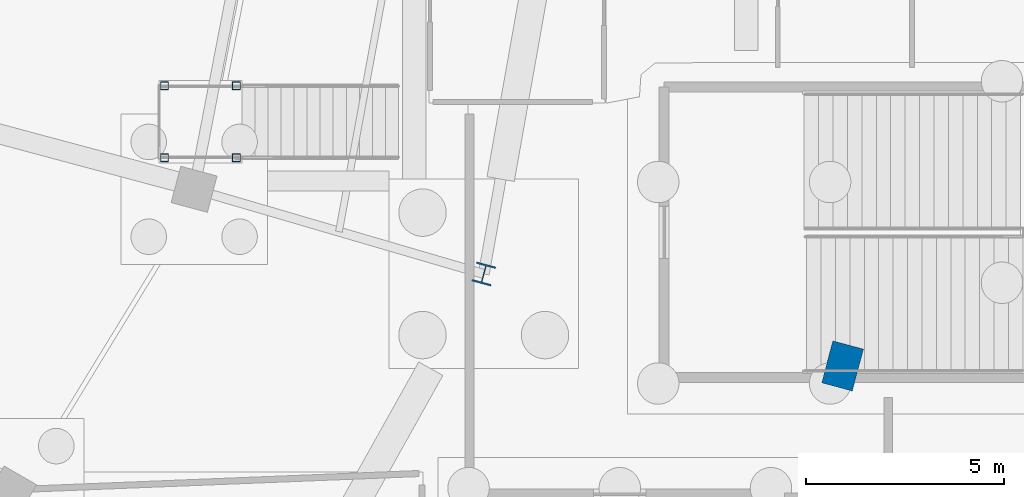
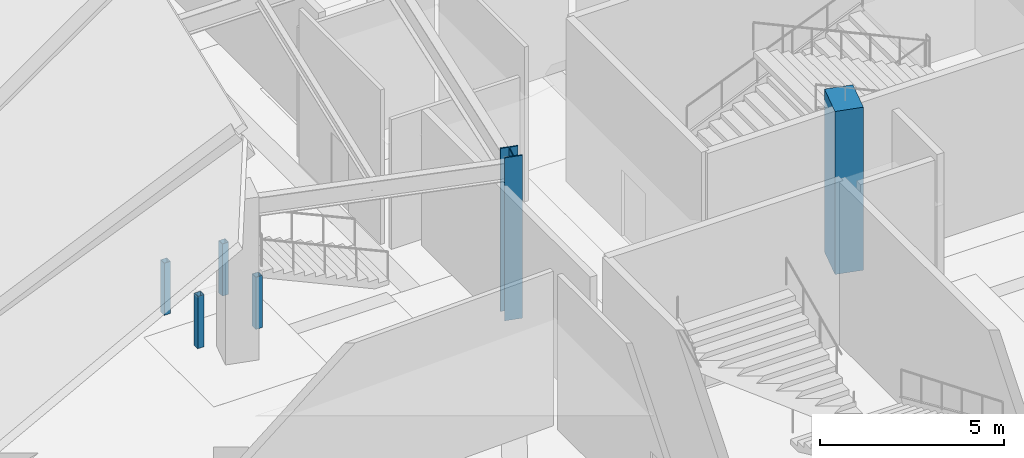
# One storey, part 28 of 93: 6 columns.
"""IFC4 building model written with IfcOpenShell, lengths in metres."""

import ifcopenshell
import ifcopenshell.guid

model = None  # the IFC model being written
_history = None  # IfcOwnerHistory: only IFC2X3 demands one
_inside = {}  # id of a spatial element -> (the spatial element, [elements in it])
_under = {}  # id of a project, library or spatial element -> (it, [spatial elements below it])
_declared = {}  # id of a project -> (the project, [libraries it declares])
_typed = {}  # id of a type object -> (the type object, [elements of that type])
_made_of = {}  # id of a material, layer set ... -> (it, [elements and type objects made of it])


def new_model(schema):
    """Start an empty IFC model of exactly this schema.

    Asked for "IFC4X3", IfcOpenShell would pick the latest addendum, in which some entities
    have other attributes; the version numbers below select the first issue.
    IFC2X3 requires an IfcOwnerHistory on every rooted entity: one is made here for all.
    """
    global model, _history
    if schema == "IFC4X3":
        model = ifcopenshell.file(schema_version=(4, 3, 0, 0))
    else:
        model = ifcopenshell.file(schema=schema)
    _inside.clear()
    _under.clear()
    _declared.clear()
    _typed.clear()
    _made_of.clear()
    _history = None
    if model.schema == "IFC2X3":
        org = make("IfcOrganization", Name="unknown")
        user = make(
            "IfcPersonAndOrganization",
            ThePerson=make("IfcPerson", FamilyName="unknown"),
            TheOrganization=org,
        )
        app = make(
            "IfcApplication",
            ApplicationDeveloper=org,
            Version="unknown",
            ApplicationFullName="unknown",
            ApplicationIdentifier="unknown",
        )
        _history = make(
            "IfcOwnerHistory",
            OwningUser=user,
            OwningApplication=app,
            ChangeAction="ADDED",
            CreationDate=0,
        )
    return model


def make(cls, **values):
    """One entity of the class cls with the attributes given. An attribute that is None is left unset."""
    return model.create_entity(
        cls, **{name: value for name, value in values.items() if value is not None}
    )


def rooted(cls, **values):
    """An entity with a GlobalId (a new one), such as an element, a storey or a relation."""
    return make(cls, GlobalId=ifcopenshell.guid.new(), OwnerHistory=_history, **values)


def si_unit(unit_type, name, prefix=None):
    """IfcSIUnit, for example si_unit("LENGTHUNIT", "METRE", prefix="MILLI")."""
    return make("IfcSIUnit", UnitType=unit_type, Prefix=prefix, Name=name)


def assignment(units):
    """IfcUnitAssignment: the units of a project."""
    return None if units is None else make("IfcUnitAssignment", Units=units)


def point(xyz):
    """IfcCartesianPoint."""
    return None if xyz is None else make("IfcCartesianPoint", Coordinates=xyz)


def direction(xyz):
    """IfcDirection."""
    return None if xyz is None else make("IfcDirection", DirectionRatios=xyz)


def frame(location, z_axis=None, x_axis=None):
    """IfcAxis2Placement3D, a coordinate frame: its origin and axes. An axis left out is left unset."""
    return make(
        "IfcAxis2Placement3D",
        Location=point(location),
        Axis=direction(z_axis),
        RefDirection=direction(x_axis),
    )


def frame_2d(location, x_axis=None):
    """IfcAxis2Placement2D, a coordinate frame in the plane: its origin and x axis."""
    return make(
        "IfcAxis2Placement2D", Location=point(location), RefDirection=direction(x_axis)
    )


def origin():
    """The frame at (0, 0, 0) with its axes left unset."""
    return frame((0.0, 0.0, 0.0))


def origin_2d():
    """The frame at (0, 0) in the plane with its x axis left unset."""
    return frame_2d((0.0, 0.0))


def place(relative_to, where):
    """IfcLocalPlacement: puts the frame where relative to a parent placement (None: the world)."""
    return make(
        "IfcLocalPlacement", PlacementRelTo=relative_to, RelativePlacement=where
    )


def context(
    kind, dimensions, precision=None, world=None, true_north=None, identifier=None
):
    """IfcGeometricRepresentationContext, for example the 3D "Model" context."""
    return make(
        "IfcGeometricRepresentationContext",
        ContextIdentifier=identifier,
        ContextType=kind,
        CoordinateSpaceDimension=dimensions,
        Precision=precision,
        WorldCoordinateSystem=world,
        TrueNorth=true_north,
    )


def subcontext(parent, identifier, kind, view, scale=None):
    """IfcGeometricRepresentationSubContext, for example "Body" below "Model"."""
    return make(
        "IfcGeometricRepresentationSubContext",
        ContextIdentifier=identifier,
        ContextType=kind,
        ParentContext=parent,
        TargetScale=scale,
        TargetView=view,
    )


def project(units=None, contexts=None):
    """IfcProject with its units and contexts."""
    return rooted(
        "IfcProject",
        Name="project",
        RepresentationContexts=contexts,
        UnitsInContext=assignment(units),
    )


def spatial(cls, under=None, at=None, **own):
    """A site, building, storey or space (cls), placed at a placement, below another one or the project."""
    s = rooted(cls, ObjectPlacement=at, **own)
    if under is not None:
        _under.setdefault(under.id(), (under, []))[1].append(s)
    return s


def profile(cls, at=None, kind="AREA", **sizes):
    """A parametric profile (cls). Its sizes go by their IFC names, for example OverallWidth=200.0."""
    return make(cls, ProfileType=kind, Position=at, **sizes)


def rectangle(**sizes):
    """IfcRectangleProfileDef."""
    return profile("IfcRectangleProfileDef", **sizes)


def hollow_rectangle(**sizes):
    """IfcRectangleHollowProfileDef."""
    return profile("IfcRectangleHollowProfileDef", **sizes)


def i_section(**sizes):
    """IfcIShapeProfileDef."""
    return profile("IfcIShapeProfileDef", **sizes)


def extrude(swept, where, along, depth):
    """IfcExtrudedAreaSolid: the profile swept, set in the frame where, extruded along a direction by depth."""
    return make(
        "IfcExtrudedAreaSolid",
        SweptArea=swept,
        Position=where,
        ExtrudedDirection=direction(along),
        Depth=depth,
    )


def shape(context_of_items, identifier, shape_type, items):
    """IfcShapeRepresentation: the items that make up one representation, for example the "Body"."""
    return make(
        "IfcShapeRepresentation",
        ContextOfItems=context_of_items,
        RepresentationIdentifier=identifier,
        RepresentationType=shape_type,
        Items=items,
    )


def material(Name=None, Category=None):
    """IfcMaterial."""
    return make("IfcMaterial", Name=Name, Category=Category)


def material_profile(
    of_material, cross_section, Name=None, Category=None, Priority=None
):
    """IfcMaterialProfile: a cross section and its material."""
    return make(
        "IfcMaterialProfile",
        Name=Name,
        Material=of_material,
        Profile=cross_section,
        Priority=Priority,
        Category=Category,
    )


def profile_set(profiles, Name=None, composite=None):
    """IfcMaterialProfileSet."""
    return make(
        "IfcMaterialProfileSet",
        Name=Name,
        MaterialProfiles=profiles,
        CompositeProfile=composite,
    )


def made_of(thing, what):
    """Note that an element or type object is made of a material, layer set ...; save() writes the relation."""
    if what is not None:
        _made_of.setdefault(what.id(), (what, []))[1].append(thing)
    return thing


def type_object(cls, material=None, **own):
    """A type object (cls), such as IfcWallType, which elements share."""
    return made_of(rooted(cls, **own), material)


def element(
    cls,
    number,
    at=None,
    inside=None,
    cuts=None,
    type_object=None,
    material=None,
    context=None,
    identifier="Body",
    shape_type=None,
    held_by="IfcProductDefinitionShape",
    body=None,
    shapes=None,
    **own,
):
    """One element of the class cls, such as IfcWall. Its Tag is "e" and its number.

    at: its placement. inside: the storey or other place that contains it. cuts: it is an
    opening in that element (IfcRelVoidsElement). A single representation is given by context,
    identifier, shape_type and body (its items); several are given by shapes. held_by: the class
    of the entity that holds the representations. save() writes the other relations.
    """
    e = rooted(cls, Tag="e%d" % number, ObjectPlacement=at, **own)
    if body is not None:
        shapes = [shape(context, identifier, shape_type, body)]
    if shapes is not None:
        e.Representation = make(held_by, Representations=shapes)
    if inside is not None:
        _inside.setdefault(inside.id(), (inside, []))[1].append(e)
    if cuts is not None:
        rooted(
            "IfcRelVoidsElement", RelatingBuildingElement=cuts, RelatedOpeningElement=e
        )
    if type_object is not None:
        _typed.setdefault(type_object.id(), (type_object, []))[1].append(e)
    return made_of(e, material)


def aggregate(whole, parts):
    """IfcRelAggregates: a whole, such as a stair, and the parts it consists of."""
    return rooted("IfcRelAggregates", RelatingObject=whole, RelatedObjects=parts)


def save(model, path):
    """Write the relations noted so far, then the file.

    IfcRelAggregates (storeys below a building ...), IfcRelContainedInSpatialStructure (elements
    in a storey), IfcRelDefinesByType, IfcRelAssociatesMaterial and IfcRelDeclares: one each for
    every whole, place, type object, material and project.
    """
    for whole, parts in _under.values():
        aggregate(whole, parts)
    for where, things in _inside.values():
        rooted(
            "IfcRelContainedInSpatialStructure",
            RelatedElements=things,
            RelatingStructure=where,
        )
    for kind, things in _typed.values():
        rooted("IfcRelDefinesByType", RelatedObjects=things, RelatingType=kind)
    for what, things in _made_of.values():
        rooted("IfcRelAssociatesMaterial", RelatedObjects=things, RelatingMaterial=what)
    for by, libraries in _declared.values():
        rooted("IfcRelDeclares", RelatingContext=by, RelatedDefinitions=libraries)
    model.write(path)


model = new_model("IFC4")

# Units and contexts
model_context = context("Model", 3, precision=1e-05, world=origin(), true_north=direction((0.0, 1.0)))
body_context = subcontext(model_context, "Body", "Model", "MODEL_VIEW")
ifc_project = project(units=[si_unit("LENGTHUNIT", "METRE"), si_unit("AREAUNIT", "SQUARE_METRE"), si_unit("VOLUMEUNIT", "CUBIC_METRE"), si_unit("PLANEANGLEUNIT", "RADIAN"), si_unit("MASSUNIT", "GRAM", prefix="KILO")], contexts=[model_context])

# Site, building, storey
site_placement = place(None, origin())
site = spatial("IfcSite", under=ifc_project, at=site_placement, CompositionType="ELEMENT")
building_placement = place(site_placement, origin())
building = spatial("IfcBuilding", under=site, at=building_placement, Name="Kalgoora Escarpment Arena", CompositionType="ELEMENT")
storey_placement = place(building_placement, origin())
storey = spatial("IfcBuildingStorey", under=building, at=storey_placement, Name="L00", CompositionType="ELEMENT", Elevation=0.0)

# Columns
ifc_material_1 = material(Name="Structural steel Grade 350 (350 MPa)", Category="steel")
ifc_material_profile_1 = material_profile(ifc_material_1, i_section(OverallWidth=0.5, OverallDepth=0.5, WebThickness=0.02490234375, FlangeThickness=0.0419921875, at=origin_2d()))
ifc_profile_set_1 = profile_set([ifc_material_profile_1], Name="Structural steel Grade 350 (350 MPa)")
column_type_1 = type_object("IfcColumnType", Name="COL-COL-500WC440", PredefinedType="COLUMN", material=ifc_profile_set_1)
column_1_placement = place(storey_placement, frame((144.56005859375, 53.647216796875, 0.0), z_axis=(0.0, 0.0, 1.0), x_axis=(0.965925826289, -0.258819045103, 0.0)))
element("IfcColumn", 1, at=column_1_placement, inside=storey, type_object=column_type_1, Name="L00 structural column COL-RMAIN-R24", PredefinedType="COLUMN", context=body_context, shape_type="SweptSolid", body=[
    extrude(i_section(OverallWidth=0.5, OverallDepth=0.5, WebThickness=0.02490234375, FlangeThickness=0.0419921875, at=origin_2d()), origin(), (0.0, 0.0, 1.0), 5.39990234375),
])
ifc_material_2 = material(Name="Concrete N50 (fc' 50 MPa)", Category="concrete")
ifc_material_profile_2 = material_profile(ifc_material_2, rectangle(XDim=0.800048828125, YDim=1.10009765625, at=origin_2d()))
ifc_profile_set_2 = profile_set([ifc_material_profile_2], Name="Concrete N50 (fc' 50 MPa)")
column_type_2 = type_object("IfcColumnType", Name="COL-COL-RC1100x800", PredefinedType="COLUMN", material=ifc_profile_set_2)
column_2_placement = place(storey_placement, frame((153.6396484375, 51.31787109375, 0.0), z_axis=(0.0, 0.0, 1.0), x_axis=(0.965925826289, -0.258819045103, 0.0)))
element("IfcColumn", 2, at=column_2_placement, inside=storey, type_object=column_type_2, Name="L00 structural column COL-RCONC1-R24", PredefinedType="COLUMN", context=body_context, shape_type="SweptSolid", body=[
    extrude(rectangle(XDim=0.800048828125, YDim=1.10009765625, at=origin_2d()), origin(), (0.0, 0.0, 1.0), 5.39990234375),
])
ifc_material_3 = material(Name="Structural steel C350 (350 MPa)", Category="steel")
ifc_material_profile_3 = material_profile(ifc_material_3, hollow_rectangle(XDim=0.199951171875, YDim=0.199951171875, WallThickness=0.009033203125, at=origin_2d()))
ifc_profile_set_3 = profile_set([ifc_material_profile_3], Name="Structural steel C350 (350 MPa)")
column_type_3 = type_object("IfcColumnType", Name="COL-VST-POST", PredefinedType="COLUMN", material=ifc_profile_set_3)
for number, where, z_axis, x_axis, name in (
    (3, (136.47998046875, 56.590087890625, 0.0), (0.0, 0.0, 1.0), (1.0, 0.0, 0.0), "Vomitory landing support post VST11-1"),
    (4, (138.300048828125, 56.590087890625, 0.0), (0.0, 0.0, 1.0), (1.0, 0.0, 0.0), "Vomitory landing support post VST11-2"),
    (5, (136.47998046875, 58.409912109375, 0.0), (0.0, 0.0, 1.0), (1.0, 0.0, 0.0), "Vomitory landing support post VST11-3"),
    (6, (138.300048828125, 58.409912109375, 0.0), (0.0, 0.0, 1.0), (1.0, 0.0, 0.0), "Vomitory landing support post VST11-4"),
):
    element("IfcColumn", number, at=place(storey_placement, frame(where, z_axis=z_axis, x_axis=x_axis)), inside=storey, type_object=column_type_3, Name=name, PredefinedType="COLUMN", context=body_context, shape_type="SweptSolid", body=[
        extrude(hollow_rectangle(XDim=0.199951171875, YDim=0.199951171875, WallThickness=0.009033203125, at=origin_2d()), origin(), (0.0, 0.0, 1.0), 1.72998046875),
    ])

save(model, "model.ifc")
